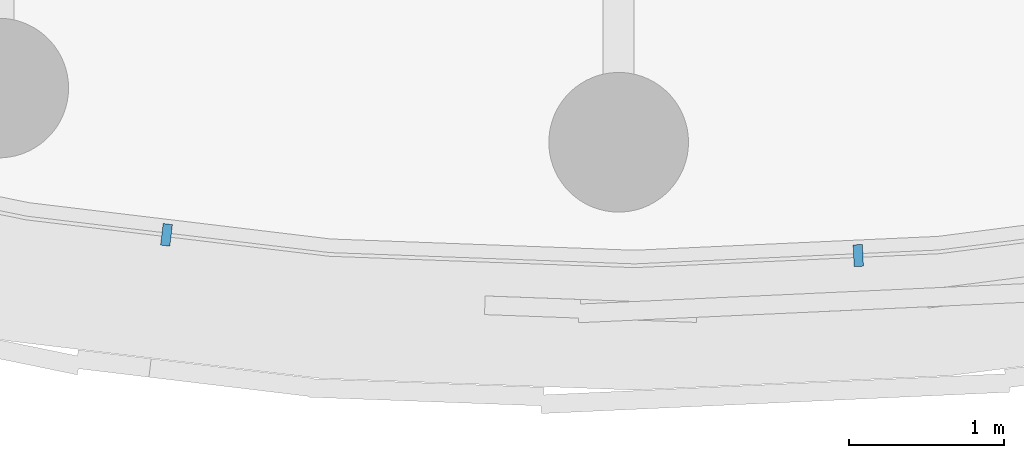
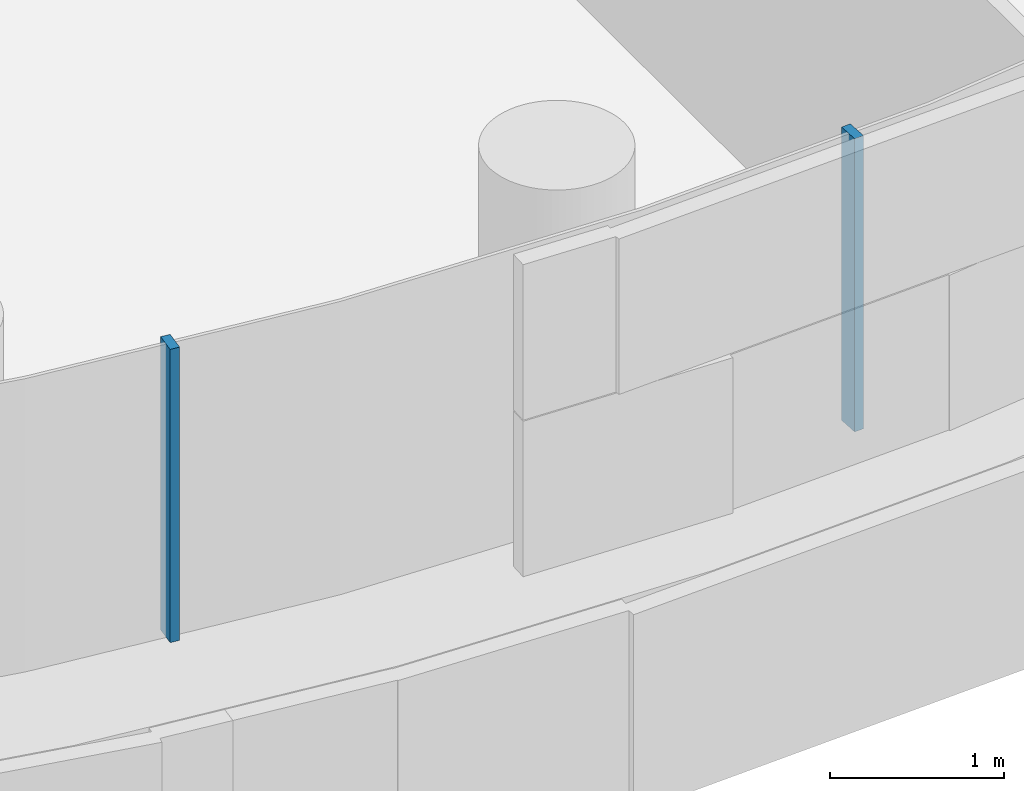
# One storey, part 5 of 27: 2 members, 1 element without a shape of its own.
"""IFC4 building model written with IfcOpenShell, lengths in metres."""

from ifc_helpers import new_model, si_unit, direction, frame, origin, origin_2d, place, context, subcontext, project, spatial, rectangle, extrude, material, layer, layer_set, material_profile, profile_set, type_object, element, aggregate, save


model = new_model("IFC4")

# Units and contexts
model_context = context("Model", 3, precision=1e-05, world=origin(), true_north=direction((0.0, 1.0)))
body_context = subcontext(model_context, "Body", "Model", "MODEL_VIEW")
ifc_project = project(units=[si_unit("LENGTHUNIT", "METRE"), si_unit("AREAUNIT", "SQUARE_METRE"), si_unit("VOLUMEUNIT", "CUBIC_METRE"), si_unit("PLANEANGLEUNIT", "RADIAN"), si_unit("MASSUNIT", "GRAM", prefix="KILO")], contexts=[model_context])

# Site, building, storey
site_placement = place(None, origin())
site = spatial("IfcSite", under=ifc_project, at=site_placement, CompositionType="ELEMENT")
building_placement = place(site_placement, origin())
building = spatial("IfcBuilding", under=site, at=building_placement, Name="Tamarind Cross Interchange Tower", CompositionType="ELEMENT")
storey_placement = place(building_placement, frame((0.0, 0.0, 245.10009765625)))
storey = spatial("IfcBuildingStorey", under=building, at=storey_placement, Name="L62", CompositionType="ELEMENT", Elevation=245.10009765625)

# Curtain wall, members
ifc_material = material(Name="Aluminium 6063-T6", Category="aluminium")
ifc_layer = layer(ifc_material, 0.139892578125)
ifc_layer_set = layer_set([ifc_layer], Name="Aluminium 6063-T6")
curtain_wall_type = type_object("IfcCurtainWallType", Name="Hotel curtain wall, 4.5 m bays", PredefinedType="NOTDEFINED", material=ifc_layer_set)
curtain_wall_placement = place(storey_placement, origin())
curtain_wall = element("IfcCurtainWall", 1, at=curtain_wall_placement, inside=storey, type_object=curtain_wall_type, Name="CWS-L62-06", PredefinedType="NOTDEFINED")
ifc_material_profile = material_profile(ifc_material, rectangle(XDim=0.06005859375, YDim=0.139892578125, at=origin_2d()), Name="Mullion CW2")
ifc_profile_set = profile_set([ifc_material_profile], Name="Aluminium 6063-T6")
member_type = type_object("IfcMemberType", Name="Mullion CW2", PredefinedType="MULLION", material=ifc_profile_set)
member_1_placement = place(storey_placement, frame((-2.9130859375, -23.596435546875, 1.39990234375), z_axis=(0.0, 0.0, 1.0), x_axis=(0.992843710523, -0.119420963295, 0.0)))
member_1 = element("IfcMember", 2, at=member_1_placement, type_object=member_type, Name="CWM-L62-06-05", PredefinedType="MULLION", context=body_context, shape_type="SweptSolid", body=[
    extrude(rectangle(XDim=0.06005859375, YDim=0.139892578125, at=origin_2d()), origin(), (0.0, 0.0, 1.0), 2.06005859375),
])
member_2_placement = place(storey_placement, frame((1.543701171875, -23.729736328125, 1.39990234375), z_axis=(0.0, 0.0, 1.0), x_axis=(0.998958660912, 0.045624486728, 0.0)))
member_2 = element("IfcMember", 3, at=member_2_placement, type_object=member_type, Name="CWM-L62-06-06", PredefinedType="MULLION", context=body_context, shape_type="SweptSolid", body=[
    extrude(rectangle(XDim=0.06005859375, YDim=0.139892578125, at=origin_2d()), origin(), (0.0, 0.0, 1.0), 2.06005859375),
])
aggregate(curtain_wall, [member_1, member_2])

save(model, "model.ifc")
